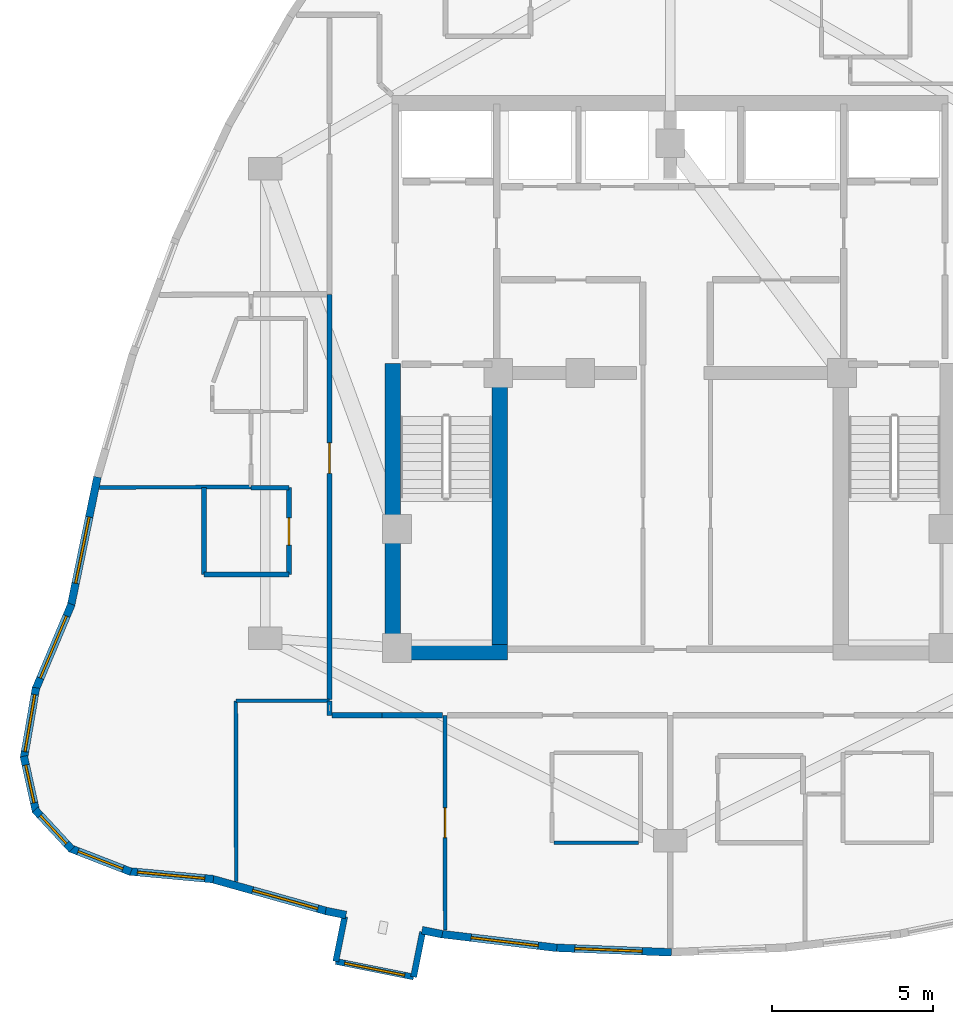
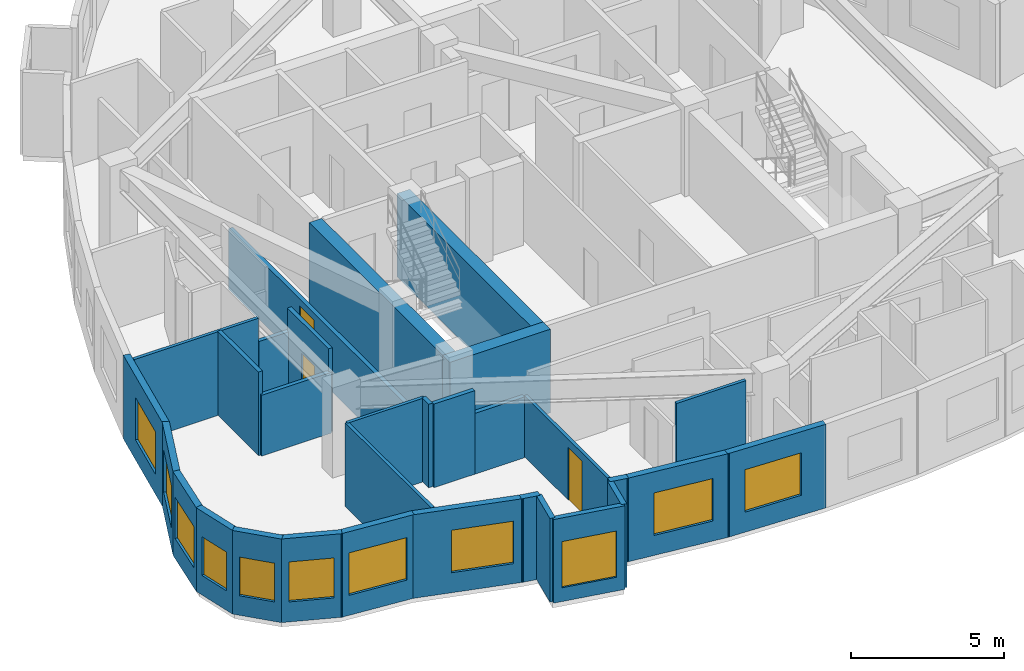
# One storey, part 7 of 13: 31 walls, 11 windows, 3 doors, 14 openings.
"""IFC4 building model written with IfcOpenShell, lengths in metres."""

from ifc_helpers import new_model, si_unit, direction, frame, frame_2d, origin, place, context, subcontext, project, spatial, rectangle, extrude, material, layer, layer_set, type_object, element, fill, save


model = new_model("IFC4")

# Units and contexts
model_context = context("Model", 3, precision=1e-05, world=origin(), true_north=direction((0.0, 1.0)))
body_context = subcontext(model_context, "Body", "Model", "MODEL_VIEW")
ifc_project = project(units=[si_unit("LENGTHUNIT", "METRE"), si_unit("AREAUNIT", "SQUARE_METRE"), si_unit("VOLUMEUNIT", "CUBIC_METRE"), si_unit("PLANEANGLEUNIT", "RADIAN"), si_unit("MASSUNIT", "GRAM", prefix="KILO")], contexts=[model_context])

# Site, building, storey
site_placement = place(None, origin())
site = spatial("IfcSite", under=ifc_project, at=site_placement, CompositionType="ELEMENT")
building_placement = place(site_placement, origin())
building = spatial("IfcBuilding", under=site, at=building_placement, Name="Miruveldt Soraemaru", CompositionType="ELEMENT")
storey_placement = place(building_placement, frame((0.0, 0.0, 201.60009765625)))
storey = spatial("IfcBuildingStorey", under=building, at=storey_placement, Name="L55", CompositionType="ELEMENT", Elevation=201.60009765625)

# Walls
ifc_material_1 = material(Name="White powder-coated aluminium EN AW-6060 T6", Category="aluminium")
ifc_layer_1 = layer(ifc_material_1, 0.18994140625, Name="White powder-coated aluminium EN AW-6060 T6", Category="aluminium")
ifc_layer_set_1 = layer_set([ifc_layer_1], Name="White powder-coated aluminium EN AW-6060 T6")
wall_type_1 = type_object("IfcWallType", Name="WALL-BAY-ALU190", PredefinedType="SOLIDWALL", material=ifc_layer_set_1)
for number, where, z_axis, x_axis, name in (
    (1, (33.871337890625, 27.138671875, 0.0), (0.0, 0.0, 1.0), (-0.196149079112, -0.980574086321, 0.0), "L55 Bay Window Side Cheek 2L"),
    (2, (36.014892578125, 25.256591796875, 0.0), (0.0, 0.0, 1.0), (0.195984352603, 0.980607022989, 0.0), "L55 Bay Window Side Cheek 2R"),
):
    element("IfcWall", number, at=place(storey_placement, frame(where, z_axis=z_axis, x_axis=x_axis)), inside=storey, type_object=wall_type_1, Name=name, PredefinedType="SOLIDWALL", context=body_context, shape_type="SweptSolid", body=[
        extrude(rectangle(XDim=1.425048828125, YDim=0.18994140625, at=frame_2d((0.71240234375, 0.0))), origin(), (0.0, 0.0, 1.0), 3.344970703125),
    ])

# Wall, opening, window
wall_1_placement = place(storey_placement, frame((33.591796875, 25.7412109375, 0.0), z_axis=(0.0, 0.0, 1.0), x_axis=(0.980580675691, -0.196116135138, 0.0)))
wall_1 = element("IfcWall", 3, at=wall_1_placement, inside=storey, type_object=wall_type_1, Name="L55 Bay Window Front Frame 2", PredefinedType="SOLIDWALL", context=body_context, shape_type="SweptSolid", body=[
    extrude(rectangle(XDim=2.47119140625, YDim=0.18994140625, at=frame_2d((1.235595703125, 0.0))), origin(), (0.0, 0.0, 1.0), 3.344970703125),
])
opening_1_placement = place(wall_1_placement, frame((0.284912109375, 0.0, 0.550048828125)))
opening_1 = element("IfcOpeningElement", 4, at=opening_1_placement, cuts=wall_1, Name="Opening WN-6", PredefinedType="OPENING", context=body_context, shape_type="SweptSolid", body=[
    extrude(rectangle(XDim=1.89990234375, YDim=1.85009765625, at=frame_2d((0.949951171875, 0.925048828125))), frame((0.0, 0.10498046875, 0.0), z_axis=(0.0, -1.0, 0.0), x_axis=(1.0, 0.0, 0.0)), (0.0, 0.0, 1.0), 0.2099609375),
])
ifc_material_2 = material(Name="Triple low-e insulated glazing", Category="glass")
window_type_1 = type_object("IfcWindowType", Name="WIN-BAYW-1900x1850", PartitioningType="SINGLE_PANEL", PredefinedType="WINDOW", material=ifc_material_2)
window_1_placement = place(opening_1_placement, origin())
window_1 = element("IfcWindow", 5, at=window_1_placement, inside=storey, type_object=window_type_1, Name="L55 Projecting Bay Window 2", OverallHeight=1.85009765625, OverallWidth=1.89990234375, PartitioningType="SINGLE_PANEL", PredefinedType="WINDOW", context=body_context, shape_type="SweptSolid", body=[
    extrude(rectangle(XDim=1.89990234375, YDim=1.85009765625, at=frame_2d((0.949951171875, 0.925048828125))), frame((0.0, 0.030029296875, 0.0), z_axis=(0.0, -1.0, 0.0), x_axis=(1.0, 0.0, 0.0)), (0.0, 0.0, 1.0), 0.06005859375),
])
fill(opening_1, window_1)

# Walls
ifc_material_3 = material(Name="Concrete C60/75 (60 MPa)", Category="concrete")
ifc_layer_2 = layer(ifc_material_3, 0.47998046875, Name="Concrete C60/75 (60 MPa)", Category="concrete")
ifc_layer_set_2 = layer_set([ifc_layer_2], Name="Concrete C60/75 (60 MPa)")
wall_type_2 = type_object("IfcWallType", Name="WALL-CW-480", PredefinedType="SHEAR", material=ifc_layer_set_2)
wall_2_placement = place(storey_placement, frame((35.1201171875, 35.360107421875, 0.0), z_axis=(0.0, 0.0, 1.0), x_axis=(1.0, 0.0, 0.0)))
element("IfcWall", 6, at=wall_2_placement, inside=storey, type_object=wall_type_2, Name="L55 Central Core Shear Wall S1", PredefinedType="SHEAR", context=body_context, shape_type="SweptSolid", body=[
    extrude(rectangle(XDim=3.809814453125, YDim=0.47998046875, at=frame_2d((1.90478515625, 0.0))), origin(), (0.0, 0.0, 1.0), 3.344970703125),
])
wall_3_placement = place(storey_placement, frame((35.360107421875, 35.1201171875, 0.0), z_axis=(0.0, 0.0, 1.0), x_axis=(0.0, 1.0, 0.0)))
element("IfcWall", 7, at=wall_3_placement, inside=storey, type_object=wall_type_2, Name="L55 Central Core Shear Wall W1", PredefinedType="SHEAR", context=body_context, shape_type="SweptSolid", body=[
    extrude(rectangle(XDim=9.22998046875, YDim=0.47998046875, at=frame_2d((4.614990234375, 0.0))), origin(), (0.0, 0.0, 1.0), 3.344970703125),
])
wall_4_placement = place(storey_placement, frame((38.68994140625, 35.39990234375, 0.0), z_axis=(0.0, 0.0, 1.0), x_axis=(0.0, 1.0, 0.0)))
element("IfcWall", 8, at=wall_4_placement, inside=storey, type_object=wall_type_2, Name="L55 Central Core Shear Wall SW-INT", PredefinedType="SHEAR", context=body_context, shape_type="SweptSolid", body=[
    extrude(rectangle(XDim=8.9501953125, YDim=0.47998046875, at=frame_2d((4.47509765625, 0.0))), origin(), (0.0, 0.0, 1.0), 3.344970703125),
])

# Wall, opening, window
ifc_material_4 = material(Name="Precast concrete C45/55 (45 MPa)", Category="concrete")
ifc_layer_3 = layer(ifc_material_4, 0.239990234375, Name="Precast concrete C45/55 (45 MPa)", Category="concrete")
ifc_layer_set_3 = layer_set([ifc_layer_3], Name="Precast concrete C45/55 (45 MPa)")
wall_type_3 = type_object("IfcWallType", Name="WALL-EXT-PC240", PredefinedType="SOLIDWALL", material=ifc_layer_set_3)
wall_5_placement = place(storey_placement, frame((26.177490234375, 40.814697265625, 0.0), z_axis=(0.0, 0.0, 1.0), x_axis=(-0.2015657063, -0.979474995109, 0.0)))
wall_5 = element("IfcWall", 9, at=wall_5_placement, inside=storey, type_object=wall_type_3, Name="L55 Precast Concrete Facade Wall 14", PredefinedType="SOLIDWALL", context=body_context, shape_type="SweptSolid", body=[
    extrude(rectangle(XDim=4.107177734375, YDim=0.239990234375, at=frame_2d((2.0537109375, 0.0))), origin(), (0.0, 0.0, 1.0), 3.344970703125),
])
opening_2_placement = place(wall_5_placement, frame((1.27490234375, 0.0, 0.800048828125)))
opening_2 = element("IfcOpeningElement", 10, at=opening_2_placement, cuts=wall_5, Name="Opening WN-1", PredefinedType="OPENING", context=body_context, shape_type="SweptSolid", body=[
    extrude(rectangle(XDim=2.10009765625, YDim=1.699951171875, at=frame_2d((1.050048828125, 0.85009765625))), frame((0.0, 0.1298828125, 0.0), z_axis=(0.0, -1.0, 0.0), x_axis=(1.0, 0.0, 0.0)), (0.0, 0.0, 1.0), 0.260009765625),
])
window_type_2 = type_object("IfcWindowType", Name="WIN-PUNCH-2100x1700", PartitioningType="SINGLE_PANEL", PredefinedType="WINDOW", material=ifc_material_2)
window_2_placement = place(opening_2_placement, origin())
window_2 = element("IfcWindow", 11, at=window_2_placement, inside=storey, type_object=window_type_2, Name="L55 Punched Triple-Glazed Window 14.1", OverallHeight=1.699951171875, OverallWidth=2.10009765625, PartitioningType="SINGLE_PANEL", PredefinedType="WINDOW", context=body_context, shape_type="SweptSolid", body=[
    extrude(rectangle(XDim=2.10009765625, YDim=1.699951171875, at=frame_2d((1.050048828125, 0.85009765625))), frame((0.0, 0.030029296875, 0.0), z_axis=(0.0, -1.0, 0.0), x_axis=(1.0, 0.0, 0.0)), (0.0, 0.0, 1.0), 0.06005859375),
])
fill(opening_2, window_2)

wall_6_placement = place(storey_placement, frame((25.370361328125, 36.858154296875, 0.0), z_axis=(0.0, 0.0, 1.0), x_axis=(-0.38865241966, -0.921384445654, 0.0)))
wall_6 = element("IfcWall", 12, at=wall_6_placement, inside=storey, type_object=wall_type_3, Name="L55 Precast Concrete Facade Wall 15", PredefinedType="SOLIDWALL", context=body_context, shape_type="SweptSolid", body=[
    extrude(rectangle(XDim=2.895751953125, YDim=0.239990234375, at=frame_2d((1.44775390625, 0.0))), origin(), (0.0, 0.0, 1.0), 3.344970703125),
])
opening_3_placement = place(wall_6_placement, frame((0.39794921875, 0.0, 0.800048828125)))
opening_3 = element("IfcOpeningElement", 13, at=opening_3_placement, cuts=wall_6, Name="Opening WN-1", PredefinedType="OPENING", context=body_context, shape_type="SweptSolid", body=[
    extrude(rectangle(XDim=2.10009765625, YDim=1.699951171875, at=frame_2d((1.050048828125, 0.85009765625))), frame((0.0, 0.1298828125, 0.0), z_axis=(0.0, -1.0, 0.0), x_axis=(1.0, 0.0, 0.0)), (0.0, 0.0, 1.0), 0.260009765625),
])
window_3_placement = place(opening_3_placement, origin())
window_3 = element("IfcWindow", 14, at=window_3_placement, inside=storey, type_object=window_type_2, Name="L55 Punched Triple-Glazed Window 15.1", OverallHeight=1.699951171875, OverallWidth=2.10009765625, PartitioningType="SINGLE_PANEL", PredefinedType="WINDOW", context=body_context, shape_type="SweptSolid", body=[
    extrude(rectangle(XDim=2.10009765625, YDim=1.699951171875, at=frame_2d((1.050048828125, 0.85009765625))), frame((0.0, 0.030029296875, 0.0), z_axis=(0.0, -1.0, 0.0), x_axis=(1.0, 0.0, 0.0)), (0.0, 0.0, 1.0), 0.06005859375),
])
fill(opening_3, window_3)

wall_7_placement = place(storey_placement, frame((24.264404296875, 34.256591796875, 0.0), z_axis=(0.0, 0.0, 1.0), x_axis=(-0.169346387862, -0.985556594477, 0.0)))
wall_7 = element("IfcWall", 15, at=wall_7_placement, inside=storey, type_object=wall_type_3, Name="L55 Precast Concrete Facade Wall 16", PredefinedType="SOLIDWALL", context=body_context, shape_type="SweptSolid", body=[
    extrude(rectangle(XDim=2.231689453125, YDim=0.239990234375, at=frame_2d((1.11572265625, 0.0))), origin(), (0.0, 0.0, 1.0), 3.344970703125),
])
opening_4_placement = place(wall_7_placement, frame((0.216064453125, 0.0, 0.800048828125)))
opening_4 = element("IfcOpeningElement", 16, at=opening_4_placement, cuts=wall_7, Name="Opening WN-2", PredefinedType="OPENING", context=body_context, shape_type="SweptSolid", body=[
    extrude(rectangle(XDim=1.800048828125, YDim=1.64990234375, at=frame_2d((0.89990234375, 0.824951171875))), frame((0.0, 0.1298828125, 0.0), z_axis=(0.0, -1.0, 0.0), x_axis=(1.0, 0.0, 0.0)), (0.0, 0.0, 1.0), 0.260009765625),
])
window_type_3 = type_object("IfcWindowType", Name="WIN-PUNCH-1800x1650", PartitioningType="SINGLE_PANEL", PredefinedType="WINDOW", material=ifc_material_2)
window_4_placement = place(opening_4_placement, origin())
window_4 = element("IfcWindow", 17, at=window_4_placement, inside=storey, type_object=window_type_3, Name="L55 Punched Triple-Glazed Window 16.1", OverallHeight=1.64990234375, OverallWidth=1.800048828125, PartitioningType="SINGLE_PANEL", PredefinedType="WINDOW", context=body_context, shape_type="SweptSolid", body=[
    extrude(rectangle(XDim=1.800048828125, YDim=1.64990234375, at=frame_2d((0.89990234375, 0.824951171875))), frame((0.0, 0.030029296875, 0.0), z_axis=(0.0, -1.0, 0.0), x_axis=(1.0, 0.0, 0.0)), (0.0, 0.0, 1.0), 0.06005859375),
])
fill(opening_4, window_4)

wall_8_placement = place(storey_placement, frame((23.884765625, 32.125732421875, 0.0), z_axis=(0.0, 0.0, 1.0), x_axis=(0.215818470806, -0.976433503962, 0.0)))
wall_8 = element("IfcWall", 18, at=wall_8_placement, inside=storey, type_object=wall_type_3, Name="L55 Precast Concrete Facade Wall 17", PredefinedType="SOLIDWALL", context=body_context, shape_type="SweptSolid", body=[
    extrude(rectangle(XDim=1.76708984375, YDim=0.239990234375, at=frame_2d((0.883544921875, 0.0))), origin(), (0.0, 0.0, 1.0), 3.344970703125),
])
opening_5_placement = place(wall_8_placement, frame((0.282958984375, 0.0, 0.780029296875)))
opening_5 = element("IfcOpeningElement", 19, at=opening_5_placement, cuts=wall_8, Name="Opening WN-4", PredefinedType="OPENING", context=body_context, shape_type="SweptSolid", body=[
    extrude(rectangle(XDim=1.199951171875, YDim=1.550048828125, at=frame_2d((0.60009765625, 0.77490234375))), frame((0.0, 0.1298828125, 0.0), z_axis=(0.0, -1.0, 0.0), x_axis=(1.0, 0.0, 0.0)), (0.0, 0.0, 1.0), 0.260009765625),
])
window_type_4 = type_object("IfcWindowType", Name="WIN-PUNCH-1200x1550", PartitioningType="SINGLE_PANEL", PredefinedType="WINDOW", material=ifc_material_2)
window_5_placement = place(opening_5_placement, origin())
window_5 = element("IfcWindow", 20, at=window_5_placement, inside=storey, type_object=window_type_4, Name="L55 Punched Triple-Glazed Window 17.1", OverallHeight=1.550048828125, OverallWidth=1.199951171875, PartitioningType="SINGLE_PANEL", PredefinedType="WINDOW", context=body_context, shape_type="SweptSolid", body=[
    extrude(rectangle(XDim=1.199951171875, YDim=1.550048828125, at=frame_2d((0.60009765625, 0.77490234375))), frame((0.0, 0.030029296875, 0.0), z_axis=(0.0, -1.0, 0.0), x_axis=(1.0, 0.0, 0.0)), (0.0, 0.0, 1.0), 0.06005859375),
])
fill(opening_5, window_5)

wall_9_placement = place(storey_placement, frame((24.234619140625, 30.460205078125, 0.0), z_axis=(0.0, 0.0, 1.0), x_axis=(0.680167597327, -0.733056641431, 0.0)))
wall_9 = element("IfcWall", 21, at=wall_9_placement, inside=storey, type_object=wall_type_3, Name="L55 Precast Concrete Facade Wall 18", PredefinedType="SOLIDWALL", context=body_context, shape_type="SweptSolid", body=[
    extrude(rectangle(XDim=1.684814453125, YDim=0.239990234375, at=frame_2d((0.84228515625, 0.0))), origin(), (0.0, 0.0, 1.0), 3.344970703125),
])
opening_6_placement = place(wall_9_placement, frame((0.241943359375, 0.0, 0.780029296875)))
opening_6 = element("IfcOpeningElement", 22, at=opening_6_placement, cuts=wall_9, Name="Opening WN-4", PredefinedType="OPENING", context=body_context, shape_type="SweptSolid", body=[
    extrude(rectangle(XDim=1.199951171875, YDim=1.550048828125, at=frame_2d((0.60009765625, 0.77490234375))), frame((0.0, 0.1298828125, 0.0), z_axis=(0.0, -1.0, 0.0), x_axis=(1.0, 0.0, 0.0)), (0.0, 0.0, 1.0), 0.260009765625),
])
window_6_placement = place(opening_6_placement, origin())
window_6 = element("IfcWindow", 23, at=window_6_placement, inside=storey, type_object=window_type_4, Name="L55 Punched Triple-Glazed Window 18.1", OverallHeight=1.550048828125, OverallWidth=1.199951171875, PartitioningType="SINGLE_PANEL", PredefinedType="WINDOW", context=body_context, shape_type="SweptSolid", body=[
    extrude(rectangle(XDim=1.199951171875, YDim=1.550048828125, at=frame_2d((0.60009765625, 0.77490234375))), frame((0.0, 0.030029296875, 0.0), z_axis=(0.0, -1.0, 0.0), x_axis=(1.0, 0.0, 0.0)), (0.0, 0.0, 1.0), 0.06005859375),
])
fill(opening_6, window_6)

wall_10_placement = place(storey_placement, frame((25.32421875, 29.263671875, 0.0), z_axis=(0.0, 0.0, 1.0), x_axis=(0.932261326856, -0.361785597349, 0.0)))
wall_10 = element("IfcWall", 24, at=wall_10_placement, inside=storey, type_object=wall_type_3, Name="L55 Precast Concrete Facade Wall 19", PredefinedType="SOLIDWALL", context=body_context, shape_type="SweptSolid", body=[
    extrude(rectangle(XDim=2.033203125, YDim=0.239990234375, at=frame_2d((1.0166015625, 0.0))), origin(), (0.0, 0.0, 1.0), 3.344970703125),
])
opening_7_placement = place(wall_10_placement, frame((0.26611328125, 0.0, 0.800048828125)))
opening_7 = element("IfcOpeningElement", 25, at=opening_7_placement, cuts=wall_10, Name="Opening WN-3", PredefinedType="OPENING", context=body_context, shape_type="SweptSolid", body=[
    extrude(rectangle(XDim=1.5, YDim=1.60009765625, at=frame_2d((0.75, 0.800048828125))), frame((0.0, 0.1298828125, 0.0), z_axis=(0.0, -1.0, 0.0), x_axis=(1.0, 0.0, 0.0)), (0.0, 0.0, 1.0), 0.260009765625),
])
window_type_5 = type_object("IfcWindowType", Name="WIN-PUNCH-1500x1600", PartitioningType="SINGLE_PANEL", PredefinedType="WINDOW", material=ifc_material_2)
window_7_placement = place(opening_7_placement, origin())
window_7 = element("IfcWindow", 26, at=window_7_placement, inside=storey, type_object=window_type_5, Name="L55 Punched Triple-Glazed Window 19.1", OverallHeight=1.60009765625, OverallWidth=1.5, PartitioningType="SINGLE_PANEL", PredefinedType="WINDOW", context=body_context, shape_type="SweptSolid", body=[
    extrude(rectangle(XDim=1.5, YDim=1.60009765625, at=frame_2d((0.75, 0.800048828125))), frame((0.0, 0.030029296875, 0.0), z_axis=(0.0, -1.0, 0.0), x_axis=(1.0, 0.0, 0.0)), (0.0, 0.0, 1.0), 0.06005859375),
])
fill(opening_7, window_7)

wall_11_placement = place(storey_placement, frame((27.15234375, 28.5439453125, 0.0), z_axis=(0.0, 0.0, 1.0), x_axis=(0.995760434539, -0.091984547654, 0.0)))
wall_11 = element("IfcWall", 27, at=wall_11_placement, inside=storey, type_object=wall_type_3, Name="L55 Precast Concrete Facade Wall 20", PredefinedType="SOLIDWALL", context=body_context, shape_type="SweptSolid", body=[
    extrude(rectangle(XDim=2.6435546875, YDim=0.239990234375, at=frame_2d((1.32177734375, 0.0))), origin(), (0.0, 0.0, 1.0), 3.344970703125),
])
opening_8_placement = place(wall_11_placement, frame((0.27197265625, 0.0, 0.800048828125)))
opening_8 = element("IfcOpeningElement", 28, at=opening_8_placement, cuts=wall_11, Name="Opening WN-1", PredefinedType="OPENING", context=body_context, shape_type="SweptSolid", body=[
    extrude(rectangle(XDim=2.10009765625, YDim=1.699951171875, at=frame_2d((1.050048828125, 0.85009765625))), frame((0.0, 0.1298828125, 0.0), z_axis=(0.0, -1.0, 0.0), x_axis=(1.0, 0.0, 0.0)), (0.0, 0.0, 1.0), 0.260009765625),
])
window_8_placement = place(opening_8_placement, origin())
window_8 = element("IfcWindow", 29, at=window_8_placement, inside=storey, type_object=window_type_2, Name="L55 Punched Triple-Glazed Window 20.1", OverallHeight=1.699951171875, OverallWidth=2.10009765625, PartitioningType="SINGLE_PANEL", PredefinedType="WINDOW", context=body_context, shape_type="SweptSolid", body=[
    extrude(rectangle(XDim=2.10009765625, YDim=1.699951171875, at=frame_2d((1.050048828125, 0.85009765625))), frame((0.0, 0.030029296875, 0.0), z_axis=(0.0, -1.0, 0.0), x_axis=(1.0, 0.0, 0.0)), (0.0, 0.0, 1.0), 0.06005859375),
])
fill(opening_8, window_8)

wall_12_placement = place(storey_placement, frame((29.716064453125, 28.3134765625, 0.0), z_axis=(0.0, 0.0, 1.0), x_axis=(0.962964692372, -0.26962752316, 0.0)))
wall_12 = element("IfcWall", 30, at=wall_12_placement, inside=storey, type_object=wall_type_3, Name="L55 Precast Concrete Facade Wall 21", PredefinedType="SOLIDWALL", context=body_context, shape_type="SweptSolid", body=[
    extrude(rectangle(XDim=3.76953125, YDim=0.239990234375, at=frame_2d((1.884765625, 0.0))), origin(), (0.0, 0.0, 1.0), 3.344970703125),
])
opening_9_placement = place(wall_12_placement, frame((1.341064453125, 0.0, 0.800048828125)))
opening_9 = element("IfcOpeningElement", 31, at=opening_9_placement, cuts=wall_12, Name="Opening WN-1", PredefinedType="OPENING", context=body_context, shape_type="SweptSolid", body=[
    extrude(rectangle(XDim=2.10009765625, YDim=1.699951171875, at=frame_2d((1.050048828125, 0.85009765625))), frame((0.0, 0.1298828125, 0.0), z_axis=(0.0, -1.0, 0.0), x_axis=(1.0, 0.0, 0.0)), (0.0, 0.0, 1.0), 0.260009765625),
])
window_9_placement = place(opening_9_placement, origin())
window_9 = element("IfcWindow", 32, at=window_9_placement, inside=storey, type_object=window_type_2, Name="L55 Punched Triple-Glazed Window 21.1", OverallHeight=1.699951171875, OverallWidth=2.10009765625, PartitioningType="SINGLE_PANEL", PredefinedType="WINDOW", context=body_context, shape_type="SweptSolid", body=[
    extrude(rectangle(XDim=2.10009765625, YDim=1.699951171875, at=frame_2d((1.050048828125, 0.85009765625))), frame((0.0, 0.030029296875, 0.0), z_axis=(0.0, -1.0, 0.0), x_axis=(1.0, 0.0, 0.0)), (0.0, 0.0, 1.0), 0.06005859375),
])
fill(opening_9, window_9)

# Walls
wall_13_placement = place(storey_placement, frame((33.278076171875, 27.3134765625, 0.0), z_axis=(0.0, 0.0, 1.0), x_axis=(0.980507945873, -0.19647943424, 0.0)))
element("IfcWall", 33, at=wall_13_placement, inside=storey, type_object=wall_type_3, Name="L55 Precast Pier Wall 22A", PredefinedType="SOLIDWALL", context=body_context, shape_type="SweptSolid", body=[
    extrude(rectangle(XDim=0.646240234375, YDim=0.239990234375, at=frame_2d((0.3232421875, 0.0))), origin(), (0.0, 0.0, 1.0), 3.344970703125),
])
wall_14_placement = place(storey_placement, frame((36.275634765625, 26.7138671875, 0.0), z_axis=(0.0, 0.0, 1.0), x_axis=(0.980580675691, -0.196116135138, 0.0)))
element("IfcWall", 34, at=wall_14_placement, inside=storey, type_object=wall_type_3, Name="L55 Precast Pier Wall 22B", PredefinedType="SOLIDWALL", context=body_context, shape_type="SweptSolid", body=[
    extrude(rectangle(XDim=0.64599609375, YDim=0.239990234375, at=frame_2d((0.322998046875, 0.0))), origin(), (0.0, 0.0, 1.0), 3.344970703125),
])

# Wall, opening, window
wall_15_placement = place(storey_placement, frame((36.840087890625, 26.59814453125, 0.0), z_axis=(0.0, 0.0, 1.0), x_axis=(0.992878733164, -0.119129430577, 0.0)))
wall_15 = element("IfcWall", 35, at=wall_15_placement, inside=storey, type_object=wall_type_3, Name="L55 Precast Concrete Facade Wall 23", PredefinedType="SOLIDWALL", context=body_context, shape_type="SweptSolid", body=[
    extrude(rectangle(XDim=3.658203125, YDim=0.239990234375, at=frame_2d((1.8291015625, 0.0))), origin(), (0.0, 0.0, 1.0), 3.344970703125),
])
opening_10_placement = place(wall_15_placement, frame((0.970947265625, 0.0, 0.800048828125)))
opening_10 = element("IfcOpeningElement", 36, at=opening_10_placement, cuts=wall_15, Name="Opening WN-1", PredefinedType="OPENING", context=body_context, shape_type="SweptSolid", body=[
    extrude(rectangle(XDim=2.10009765625, YDim=1.699951171875, at=frame_2d((1.050048828125, 0.85009765625))), frame((0.0, 0.1298828125, 0.0), z_axis=(0.0, -1.0, 0.0), x_axis=(1.0, 0.0, 0.0)), (0.0, 0.0, 1.0), 0.260009765625),
])
window_10_placement = place(opening_10_placement, origin())
window_10 = element("IfcWindow", 37, at=window_10_placement, inside=storey, type_object=window_type_2, Name="L55 Punched Triple-Glazed Window 23.1", OverallHeight=1.699951171875, OverallWidth=2.10009765625, PartitioningType="SINGLE_PANEL", PredefinedType="WINDOW", context=body_context, shape_type="SweptSolid", body=[
    extrude(rectangle(XDim=2.10009765625, YDim=1.699951171875, at=frame_2d((1.050048828125, 0.85009765625))), frame((0.0, 0.030029296875, 0.0), z_axis=(0.0, -1.0, 0.0), x_axis=(1.0, 0.0, 0.0)), (0.0, 0.0, 1.0), 0.06005859375),
])
fill(opening_10, window_10)

wall_16_placement = place(storey_placement, frame((40.40234375, 26.16796875, 0.0), z_axis=(0.0, 0.0, 1.0), x_axis=(0.999201387771, -0.039957310688, 0.0)))
wall_16 = element("IfcWall", 38, at=wall_16_placement, inside=storey, type_object=wall_type_3, Name="L55 Precast Concrete Facade Wall 24", PredefinedType="SOLIDWALL", context=body_context, shape_type="SweptSolid", body=[
    extrude(rectangle(XDim=3.635498046875, YDim=0.239990234375, at=frame_2d((1.81787109375, 0.0))), origin(), (0.0, 0.0, 1.0), 3.344970703125),
])
opening_11_placement = place(wall_16_placement, frame((0.626953125, 0.0, 0.800048828125)))
opening_11 = element("IfcOpeningElement", 39, at=opening_11_placement, cuts=wall_16, Name="Opening WN-1", PredefinedType="OPENING", context=body_context, shape_type="SweptSolid", body=[
    extrude(rectangle(XDim=2.10009765625, YDim=1.699951171875, at=frame_2d((1.050048828125, 0.85009765625))), frame((0.0, 0.1298828125, 0.0), z_axis=(0.0, -1.0, 0.0), x_axis=(1.0, 0.0, 0.0)), (0.0, 0.0, 1.0), 0.260009765625),
])
window_11_placement = place(opening_11_placement, origin())
window_11 = element("IfcWindow", 40, at=window_11_placement, inside=storey, type_object=window_type_2, Name="L55 Punched Triple-Glazed Window 24.1", OverallHeight=1.699951171875, OverallWidth=2.10009765625, PartitioningType="SINGLE_PANEL", PredefinedType="WINDOW", context=body_context, shape_type="SweptSolid", body=[
    extrude(rectangle(XDim=2.10009765625, YDim=1.699951171875, at=frame_2d((1.050048828125, 0.85009765625))), frame((0.0, 0.030029296875, 0.0), z_axis=(0.0, -1.0, 0.0), x_axis=(1.0, 0.0, 0.0)), (0.0, 0.0, 1.0), 0.06005859375),
])
fill(opening_11, window_11)

# Wall, opening, door
ifc_material_5 = material(Name="Gypsum plasterboard lining", Category="gypsum")
ifc_layer_4 = layer(ifc_material_5, 0.1201171875, Name="Gypsum plasterboard lining", Category="gypsum")
ifc_layer_set_4 = layer_set([ifc_layer_4], Name="Gypsum plasterboard lining")
wall_type_4 = type_object("IfcWallType", Name="WALL-INT-P120", PredefinedType="PARTITIONING", material=ifc_layer_set_4)
wall_17_placement = place(storey_placement, frame((36.990966796875, 33.39990234375, 0.0), z_axis=(0.0, 0.0, 1.0), x_axis=(0.001059127999, -0.999999439124, 0.0)))
wall_17 = element("IfcWall", 41, at=wall_17_placement, inside=storey, type_object=wall_type_4, Name="L55 Partition Wall 30", PredefinedType="PARTITIONING", context=body_context, shape_type="SweptSolid", body=[
    extrude(rectangle(XDim=6.684814453125, YDim=0.1201171875, at=frame_2d((3.34228515625, 0.0))), origin(), (0.0, 0.0, 1.0), 2.432861328125),
])
opening_12_placement = place(wall_17_placement, frame((2.883056640625, 0.0, 0.0)))
opening_12 = element("IfcOpeningElement", 42, at=opening_12_placement, cuts=wall_17, Name="Opening D3A", PredefinedType="OPENING", context=body_context, shape_type="SweptSolid", body=[
    extrude(rectangle(XDim=0.919921875, YDim=2.10009765625, at=frame_2d((0.4599609375, 1.050048828125))), frame((0.0, 0.070068359375, 0.0), z_axis=(0.0, -1.0, 0.0), x_axis=(1.0, 0.0, 0.0)), (0.0, 0.0, 1.0), 0.14013671875),
])
ifc_material_6 = material(Name="Anodised aluminium EN AW-6063 T6", Category="aluminium")
door_type_1 = type_object("IfcDoorType", Name="DOOR-INT-920", OperationType="NOTDEFINED", PredefinedType="DOOR", material=ifc_material_6)
door_1_placement = place(opening_12_placement, origin())
door_1 = element("IfcDoor", 43, at=door_1_placement, inside=storey, type_object=door_type_1, Name="L55 Unit 5502 BD2 Door", OperationType="SINGLE_SWING_LEFT", OverallHeight=2.10009765625, OverallWidth=0.919921875, PredefinedType="DOOR", context=body_context, shape_type="SweptSolid", body=[
    extrude(rectangle(XDim=0.919921875, YDim=2.10009765625, at=frame_2d((0.4599609375, 1.050048828125))), frame((0.0, 0.02490234375, 0.0), z_axis=(0.0, -1.0, 0.0), x_axis=(1.0, 0.0, 0.0)), (0.0, 0.0, 1.0), 0.050048828125),
])
fill(opening_12, door_1)

# Walls
wall_18_placement = place(storey_placement, frame((30.4970703125, 28.235107421875, 0.0), z_axis=(0.0, 0.0, 1.0), x_axis=(-0.002694822223, 0.99999636896, 0.0)))
element("IfcWall", 44, at=wall_18_placement, inside=storey, type_object=wall_type_4, Name="L55 Partition Wall 60", PredefinedType="PARTITIONING", context=body_context, shape_type="SweptSolid", body=[
    extrude(rectangle(XDim=5.616943359375, YDim=0.1201171875, at=frame_2d((2.80859375, 0.0))), origin(), (0.0, 0.0, 1.0), 3.344970703125),
])
wall_19_placement = place(storey_placement, frame((30.949951171875, 40.501953125, 0.0), z_axis=(0.0, 0.0, 1.0), x_axis=(-0.999997269097, -0.002337048928, 0.0)))
element("IfcWall", 45, at=wall_19_placement, inside=storey, type_object=wall_type_4, Name="L55 Partition Wall 63", PredefinedType="PARTITIONING", context=body_context, shape_type="SweptSolid", body=[
    extrude(rectangle(XDim=4.700927734375, YDim=0.1201171875, at=frame_2d((2.3505859375, 0.0))), origin(), (0.0, 0.0, 1.0), 3.344970703125),
])
wall_20_placement = place(storey_placement, frame((30.48193359375, 33.85205078125, 0.0), z_axis=(0.0, 0.0, 1.0), x_axis=(1.0, 0.0, 0.0)))
element("IfcWall", 46, at=wall_20_placement, inside=storey, type_object=wall_type_4, Name="L55 Partition Wall 61", PredefinedType="PARTITIONING", context=body_context, shape_type="SweptSolid", body=[
    extrude(rectangle(XDim=2.91796875, YDim=0.1201171875, at=frame_2d((1.458984375, 0.0))), origin(), (0.0, 0.0, 1.0), 3.344970703125),
])
wall_21_placement = place(storey_placement, frame((40.382080078125, 29.43603515625, 0.0), z_axis=(0.0, 0.0, 1.0), x_axis=(1.0, 0.0, 0.0)))
element("IfcWall", 47, at=wall_21_placement, inside=storey, type_object=wall_type_4, Name="L55 Partition Wall 29", PredefinedType="PARTITIONING", context=body_context, shape_type="SweptSolid", body=[
    extrude(rectangle(XDim=2.6298828125, YDim=0.1201171875, at=frame_2d((1.31494140625, 0.0))), origin(), (0.0, 0.0, 1.0), 3.344970703125),
])

# Wall, opening, door
ifc_layer_5 = layer(ifc_material_5, 0.14990234375, Name="Gypsum plasterboard lining", Category="gypsum")
ifc_layer_set_5 = layer_set([ifc_layer_5], Name="Gypsum plasterboard lining")
wall_type_5 = type_object("IfcWallType", Name="WALL-INT-PLUMB", PredefinedType="PLUMBINGWALL", material=ifc_layer_set_5)
wall_22_placement = place(storey_placement, frame((32.138916015625, 37.781982421875, 0.0), z_axis=(0.0, 0.0, 1.0), x_axis=(0.0, 1.0, 0.0)))
wall_22 = element("IfcWall", 48, at=wall_22_placement, inside=storey, type_object=wall_type_5, Name="L55 Partition Wall 32", PredefinedType="PLUMBINGWALL", context=body_context, shape_type="SweptSolid", body=[
    extrude(rectangle(XDim=2.699951171875, YDim=0.14990234375, at=frame_2d((1.35009765625, 0.0))), origin(), (0.0, 0.0, 1.0), 3.344970703125),
])
opening_13_placement = place(wall_22_placement, frame((0.909912109375, 0.0, 0.0)))
opening_13 = element("IfcOpeningElement", 49, at=opening_13_placement, cuts=wall_22, Name="Opening FD3", PredefinedType="OPENING", context=body_context, shape_type="SweptSolid", body=[
    extrude(rectangle(XDim=0.85009765625, YDim=2.10009765625, at=frame_2d((0.425048828125, 1.050048828125))), frame((0.0, 0.0849609375, 0.0), z_axis=(0.0, -1.0, 0.0), x_axis=(1.0, 0.0, 0.0)), (0.0, 0.0, 1.0), 0.169921875),
])
door_type_2 = type_object("IfcDoorType", Name="DOOR-FD3-850", OperationType="NOTDEFINED", PredefinedType="DOOR", material=ifc_material_6)
door_2_placement = place(opening_13_placement, origin())
door_2 = element("IfcDoor", 50, at=door_2_placement, inside=storey, type_object=door_type_2, Name="L55 Unit 5503 BTH Door", OperationType="SINGLE_SWING_LEFT", OverallHeight=2.10009765625, OverallWidth=0.85009765625, PredefinedType="DOOR", context=body_context, shape_type="SweptSolid", body=[
    extrude(rectangle(XDim=0.85009765625, YDim=2.10009765625, at=frame_2d((0.425048828125, 1.050048828125))), frame((0.0, 0.02490234375, 0.0), z_axis=(0.0, -1.0, 0.0), x_axis=(1.0, 0.0, 0.0)), (0.0, 0.0, 1.0), 0.050048828125),
])
fill(opening_13, door_2)

# Walls
wall_23_placement = place(storey_placement, frame((29.489013671875, 40.48193359375, 0.0), z_axis=(0.0, 0.0, 1.0), x_axis=(0.0, -1.0, 0.0)))
element("IfcWall", 51, at=wall_23_placement, inside=storey, type_object=wall_type_5, Name="L55 Partition Wall 34", PredefinedType="PLUMBINGWALL", context=body_context, shape_type="SweptSolid", body=[
    extrude(rectangle(XDim=2.699951171875, YDim=0.14990234375, at=frame_2d((1.35009765625, 0.0))), origin(), (0.0, 0.0, 1.0), 3.344970703125),
])
wall_24_placement = place(storey_placement, frame((32.138916015625, 40.48193359375, 0.0), z_axis=(0.0, 0.0, 1.0), x_axis=(-1.0, 0.0, 0.0)))
element("IfcWall", 52, at=wall_24_placement, inside=storey, type_object=wall_type_5, Name="L55 Partition Wall 33", PredefinedType="PLUMBINGWALL", context=body_context, shape_type="SweptSolid", body=[
    extrude(rectangle(XDim=1.18896484375, YDim=0.14990234375, at=frame_2d((0.594482421875, 0.0))), origin(), (0.0, 0.0, 1.0), 2.432861328125),
])
wall_25_placement = place(storey_placement, frame((29.489013671875, 37.781982421875, 0.0), z_axis=(0.0, 0.0, 1.0), x_axis=(1.0, 0.0, 0.0)))
element("IfcWall", 53, at=wall_25_placement, inside=storey, type_object=wall_type_5, Name="L55 Partition Wall 35", PredefinedType="PLUMBINGWALL", context=body_context, shape_type="SweptSolid", body=[
    extrude(rectangle(XDim=2.64990234375, YDim=0.14990234375, at=frame_2d((1.324951171875, 0.0))), origin(), (0.0, 0.0, 1.0), 2.432861328125),
])

# Wall, opening, door
ifc_material_7 = material(Name="Concrete C40/50 (40 MPa)", Category="concrete")
ifc_layer_6 = layer(ifc_material_7, 0.159912109375, Name="Concrete C40/50 (40 MPa)", Category="concrete")
ifc_layer_set_6 = layer_set([ifc_layer_6], Name="Concrete C40/50 (40 MPa)")
wall_type_6 = type_object("IfcWallType", Name="WALL-INT-RC160", PredefinedType="SOLIDWALL", material=ifc_layer_set_6)
wall_26_placement = place(storey_placement, frame((33.39990234375, 46.5, 0.0), z_axis=(0.0, 0.0, 1.0), x_axis=(0.0, -1.0, 0.0)))
wall_26 = element("IfcWall", 54, at=wall_26_placement, inside=storey, type_object=wall_type_6, Name="L55 Partition Wall 8", PredefinedType="SOLIDWALL", context=body_context, shape_type="SweptSolid", body=[
    extrude(rectangle(XDim=12.60302734375, YDim=0.159912109375, at=frame_2d((6.301513671875, 0.0))), origin(), (0.0, 0.0, 1.0), 2.432861328125),
])
opening_14_placement = place(wall_26_placement, frame((4.6240234375, 0.0, 0.0)))
opening_14 = element("IfcOpeningElement", 55, at=opening_14_placement, cuts=wall_26, Name="Opening FD2", PredefinedType="OPENING", context=body_context, shape_type="SweptSolid", body=[
    extrude(rectangle(XDim=0.949951171875, YDim=2.14990234375, at=frame_2d((0.47509765625, 1.074951171875))), frame((0.0, 0.08984375, 0.0), z_axis=(0.0, -1.0, 0.0), x_axis=(1.0, 0.0, 0.0)), (0.0, 0.0, 1.0), 0.179931640625),
])
door_type_3 = type_object("IfcDoorType", Name="DOOR-FD2-950", OperationType="NOTDEFINED", PredefinedType="DOOR", material=ifc_material_6)
door_3_placement = place(opening_14_placement, origin())
door_3 = element("IfcDoor", 56, at=door_3_placement, inside=storey, type_object=door_type_3, Name="L55 Unit 5503 Entrance Fire Door", OperationType="SINGLE_SWING_RIGHT", OverallHeight=2.14990234375, OverallWidth=0.949951171875, PredefinedType="DOOR", context=body_context, shape_type="SweptSolid", body=[
    extrude(rectangle(XDim=0.949951171875, YDim=2.14990234375, at=frame_2d((0.47509765625, 1.074951171875))), frame((0.0, 0.02490234375, 0.0), z_axis=(0.0, -1.0, 0.0), x_axis=(1.0, 0.0, 0.0)), (0.0, 0.0, 1.0), 0.050048828125),
])
fill(opening_14, door_3)

# Walls
wall_27_placement = place(storey_placement, frame((35.030029296875, 33.39990234375, 0.0), z_axis=(0.0, 0.0, 1.0), x_axis=(1.0, 0.0, 0.0)))
element("IfcWall", 57, at=wall_27_placement, inside=storey, type_object=wall_type_6, Name="L55 Partition Wall 7", PredefinedType="SOLIDWALL", context=body_context, shape_type="SweptSolid", body=[
    extrude(rectangle(XDim=1.880859375, YDim=0.159912109375, at=frame_2d((0.9404296875, 0.0))), origin(), (0.0, 0.0, 1.0), 2.432861328125),
])
wall_28_placement = place(storey_placement, frame((33.47998046875, 33.39990234375, 0.0), z_axis=(0.0, 0.0, 1.0), x_axis=(1.0, 0.0, 0.0)))
element("IfcWall", 58, at=wall_28_placement, inside=storey, type_object=wall_type_6, Name="L55 Partition Wall 6", PredefinedType="SOLIDWALL", context=body_context, shape_type="SweptSolid", body=[
    extrude(rectangle(XDim=1.550048828125, YDim=0.159912109375, at=frame_2d((0.77490234375, 0.0))), origin(), (0.0, 0.0, 1.0), 3.344970703125),
])
wall_29_placement = place(storey_placement, frame((33.39990234375, 33.85205078125, 0.0), z_axis=(0.0, 0.0, 1.0), x_axis=(0.0, -1.0, 0.0)))
element("IfcWall", 59, at=wall_29_placement, inside=storey, type_object=wall_type_6, Name="L55 Partition Wall 5", PredefinedType="SOLIDWALL", context=body_context, shape_type="SweptSolid", body=[
    extrude(rectangle(XDim=0.4521484375, YDim=0.159912109375, at=frame_2d((0.22607421875, 0.0))), origin(), (0.0, 0.0, 1.0), 3.344970703125),
])

save(model, "model.ifc")
